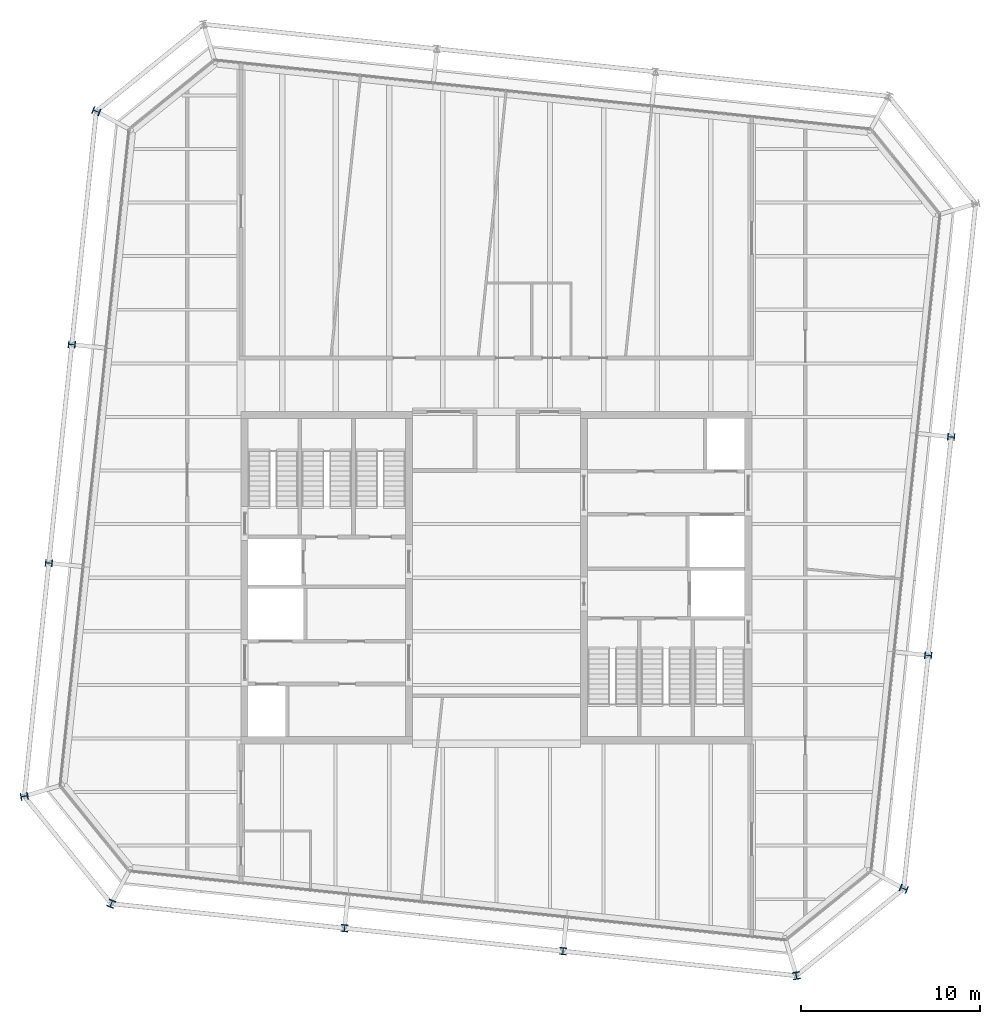
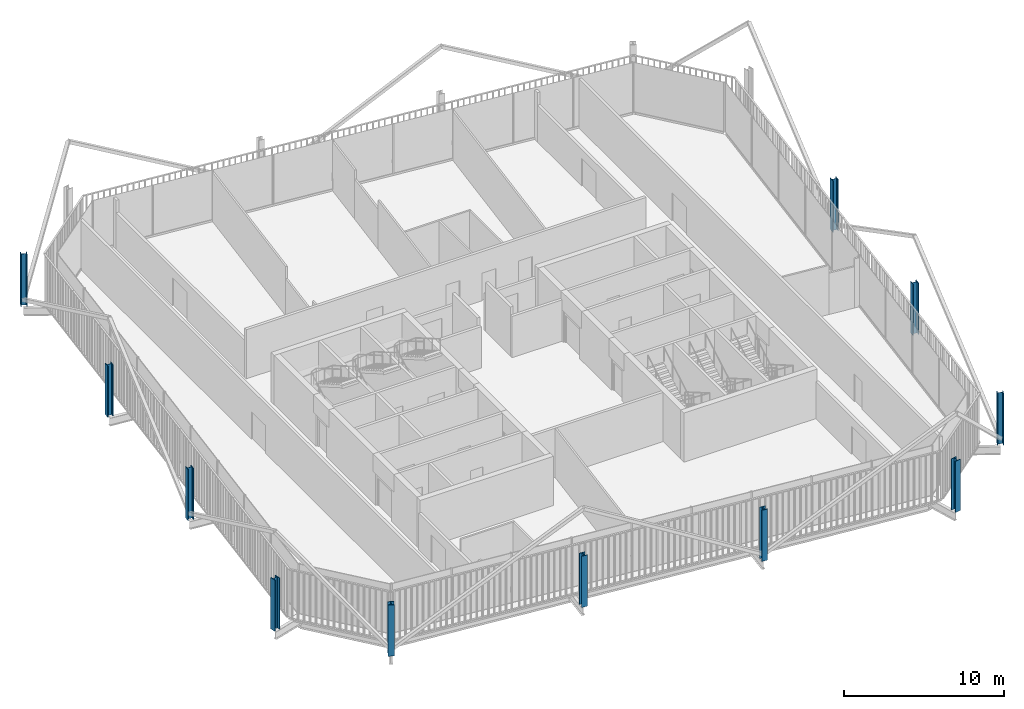
# One storey, part 1 of 21: 11 columns.
"""IFC4 building model written with IfcOpenShell, lengths in metres."""

from ifc_helpers import new_model, si_unit, direction, frame, origin, origin_2d, place, context, subcontext, project, spatial, i_section, extrude, material, material_profile, profile_set, type_object, element, save


model = new_model("IFC4")

# Units and contexts
model_context = context("Model", 3, precision=1e-05, world=origin(), true_north=direction((0.0, 1.0)))
body_context = subcontext(model_context, "Body", "Model", "MODEL_VIEW")
ifc_project = project(units=[si_unit("LENGTHUNIT", "METRE"), si_unit("AREAUNIT", "SQUARE_METRE"), si_unit("VOLUMEUNIT", "CUBIC_METRE"), si_unit("PLANEANGLEUNIT", "RADIAN"), si_unit("MASSUNIT", "GRAM", prefix="KILO")], contexts=[model_context])

# Site, building, storey
site_placement = place(None, origin())
site = spatial("IfcSite", under=ifc_project, at=site_placement, CompositionType="ELEMENT")
building_placement = place(site_placement, origin())
building = spatial("IfcBuilding", under=site, at=building_placement, Name="Millrace Tower", CompositionType="ELEMENT")
storey_placement = place(building_placement, frame((0.0, 0.0, 283.800048828125)))
storey = spatial("IfcBuildingStorey", under=building, at=storey_placement, Name="L65", CompositionType="ELEMENT", Elevation=283.800048828125)

# Columns
ifc_material_1 = material(Name="Steel ASTM A913 Grade 65", Category="steel")
ifc_material_profile_1 = material_profile(ifc_material_1, i_section(OverallWidth=0.4013671875, OverallDepth=0.398681640625, WebThickness=0.02490234375, FlangeThickness=0.03955078125, FilletRadius=0.01513671875, at=origin_2d()))
ifc_profile_set_1 = profile_set([ifc_material_profile_1], Name="Steel ASTM A913 Grade 65")
column_type_1 = type_object("IfcColumnType", Name="Exoskeleton column W14x211", PredefinedType="COLUMN", material=ifc_profile_set_1)
for number, where, z_axis, x_axis, name in (
    (1, (-8.50341796875, -19.62158203125, 0.0), (0.0, 0.0, 1.0), (0.994521897246, -0.104528445407, 0.0), "COL-E-L65-X03"),
    (2, (3.729248046875, -20.9072265625, 0.0), (0.0, 0.0, 1.0), (0.994521897246, -0.104528445407, 0.0), "COL-E-L65-X04"),
    (3, (24.171630859375, -4.353271484375, 0.0), (0.0, 0.0, 1.0), (0.104528445407, 0.994521897246, 0.0), "COL-E-L65-X07"),
    (4, (25.457275390625, 7.879150390625, 0.0), (0.0, 0.0, 1.0), (0.104528445407, 0.994521897246, 0.0), "COL-E-L65-X08"),
    (5, (-23.771484375, 13.053466796875, 0.0), (0.0, 0.0, 1.0), (-0.104528445407, -0.994521897246, 0.0), "COL-E-L65-X15"),
    (6, (-25.057373046875, 0.82080078125, 0.0), (0.0, 0.0, 1.0), (-0.104528445407, -0.994521897246, 0.0), "COL-E-L65-X16"),
):
    element("IfcColumn", number, at=place(storey_placement, frame(where, z_axis=z_axis, x_axis=x_axis)), inside=storey, type_object=column_type_1, Name=name, PredefinedType="COLUMN", context=body_context, shape_type="SweptSolid", body=[
        extrude(i_section(OverallWidth=0.4013671875, OverallDepth=0.398681640625, WebThickness=0.02490234375, FlangeThickness=0.03955078125, FilletRadius=0.01513671875, at=origin_2d()), origin(), (0.0, 0.0, 1.0), 3.89990234375),
    ])
ifc_material_2 = material(Name="Steel ASTM A913 Grade 65", Category="steel")
ifc_material_profile_2 = material_profile(ifc_material_2, i_section(OverallWidth=0.406494140625, OverallDepth=0.41650390625, WebThickness=0.030029296875, FlangeThickness=0.048095703125, FilletRadius=0.01513671875, at=origin_2d()))
ifc_profile_set_2 = profile_set([ifc_material_profile_2], Name="Steel ASTM A913 Grade 65")
column_type_2 = type_object("IfcColumnType", Name="Exoskeleton column W14x257", PredefinedType="COLUMN", material=ifc_profile_set_2)
for number, where, z_axis, x_axis, name in (
    (7, (-26.429443359375, -12.23583984375, 0.0), (0.0, 0.0, 1.0), (0.18038747256, -0.983595628164, 0.0), "COL-E-L65-X01"),
    (8, (-21.559814453125, -18.249267578125, 0.0), (0.0, 0.0, 1.0), (0.92459700658, -0.380946683176, 0.0), "COL-E-L65-X02"),
    (9, (16.78564453125, -22.279541015625, 0.0), (0.0, 0.0, 1.0), (0.983595628164, 0.18038747256, 0.0), "COL-E-L65-X05"),
    (10, (22.79931640625, -17.409912109375, 0.0), (0.0, 0.0, 1.0), (0.380946683176, 0.92459700658, 0.0), "COL-E-L65-X06"),
    (11, (-22.399169921875, 26.10986328125, 0.0), (0.0, 0.0, 1.0), (-0.380946683176, -0.92459700658, 0.0), "COL-E-L65-X14"),
):
    element("IfcColumn", number, at=place(storey_placement, frame(where, z_axis=z_axis, x_axis=x_axis)), inside=storey, type_object=column_type_2, Name=name, PredefinedType="COLUMN", context=body_context, shape_type="SweptSolid", body=[
        extrude(i_section(OverallWidth=0.406494140625, OverallDepth=0.41650390625, WebThickness=0.030029296875, FlangeThickness=0.048095703125, FilletRadius=0.01513671875, at=origin_2d()), origin(), (0.0, 0.0, 1.0), 3.89990234375),
    ])

save(model, "model.ifc")
